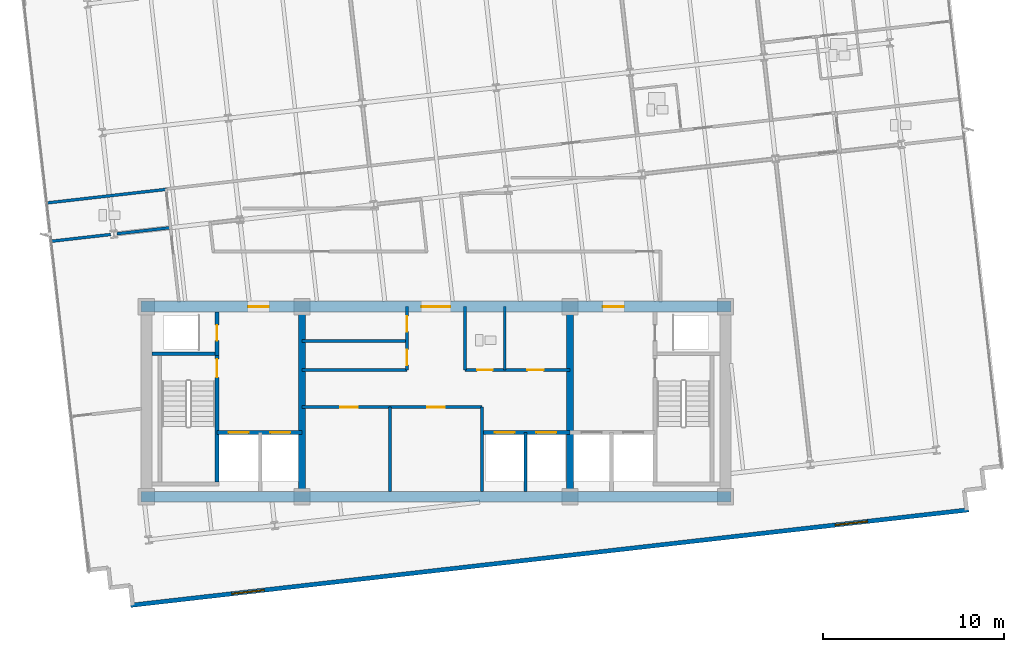
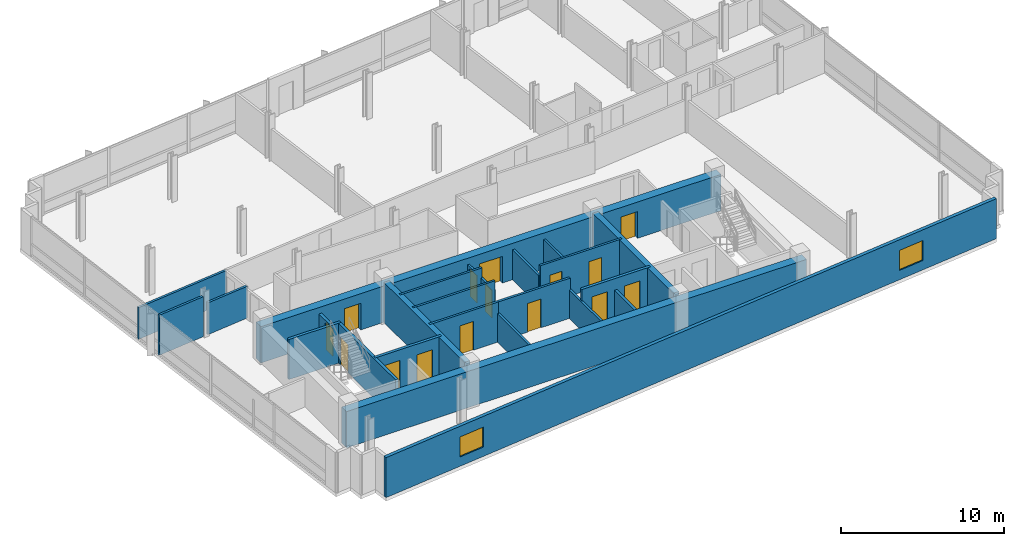
# One storey, part 8 of 14: 24 walls, 15 doors, 2 windows, 17 openings.
"""IFC4 building model written with IfcOpenShell, lengths in metres."""

from ifc_helpers import new_model, si_unit, direction, frame, frame_2d, origin, place, context, subcontext, project, spatial, rectangle, extrude, material, layer, layer_set, type_object, element, fill, save


model = new_model("IFC4")

# Units and contexts
model_context = context("Model", 3, precision=1e-05, world=origin(), true_north=direction((0.0, 1.0)))
body_context = subcontext(model_context, "Body", "Model", "MODEL_VIEW")
ifc_project = project(units=[si_unit("LENGTHUNIT", "METRE"), si_unit("AREAUNIT", "SQUARE_METRE"), si_unit("VOLUMEUNIT", "CUBIC_METRE"), si_unit("PLANEANGLEUNIT", "RADIAN"), si_unit("MASSUNIT", "GRAM", prefix="KILO")], contexts=[model_context])

# Site, building, storey
site_placement = place(None, origin())
site = spatial("IfcSite", under=ifc_project, at=site_placement, CompositionType="ELEMENT")
building_placement = place(site_placement, origin())
building = spatial("IfcBuilding", under=site, at=building_placement, Name="Solmavex Isthmus Hotel", CompositionType="ELEMENT")
storey_placement = place(building_placement, frame((0.0, 0.0, 236.550048828125)))
storey = spatial("IfcBuildingStorey", under=building, at=storey_placement, Name="L64", CompositionType="ELEMENT", Elevation=236.550048828125)

# Wall, openings, windows
ifc_material_1 = material(Name="Precast Concrete C40/50", Category="concrete")
ifc_layer_1 = layer(ifc_material_1, 0.25)
ifc_layer_set_1 = layer_set([ifc_layer_1], Name="Precast Concrete C40/50")
wall_type_1 = type_object("IfcWallType", Name="EW-TWR-250", PredefinedType="STANDARD", material=ifc_layer_set_1)
wall_1_placement = place(storey_placement, frame((-16.86962890625, -18.99951171875, 0.0), z_axis=(0.0, 0.0, 1.0), x_axis=(0.993571588328, 0.113205560228, 0.0)))
wall_1 = element("IfcWall", 1, at=wall_1_placement, inside=storey, type_object=wall_type_1, Name="Tower Rear South Facade Wall L64", PredefinedType="STANDARD", context=body_context, shape_type="SweptSolid", body=[
    extrude(rectangle(XDim=46.60009765625, YDim=0.239990234375, at=frame_2d((23.300048828125, 0.0))), origin(), (0.0, 0.0, 1.0), 3.0),
])
opening_1_placement = place(wall_1_placement, frame((5.6240234375, 0.0, 0.699951171875)))
opening_1 = element("IfcOpeningElement", 2, at=opening_1_placement, cuts=wall_1, Name="Opening WN-02", PredefinedType="OPENING", context=body_context, shape_type="SweptSolid", body=[
    extrude(rectangle(XDim=1.800048828125, YDim=1.5, at=frame_2d((0.89990234375, 0.75))), frame((0.0, 0.1298828125, 0.0), z_axis=(0.0, -1.0, 0.0), x_axis=(1.0, 0.0, 0.0)), (0.0, 0.0, 1.0), 0.260009765625),
])
opening_2_placement = place(wall_1_placement, frame((39.176025390625, 0.0, 0.699951171875)))
opening_2 = element("IfcOpeningElement", 3, at=opening_2_placement, cuts=wall_1, Name="Opening WN-02", PredefinedType="OPENING", context=body_context, shape_type="SweptSolid", body=[
    extrude(rectangle(XDim=1.800048828125, YDim=1.5, at=frame_2d((0.89990234375, 0.75))), frame((0.0, 0.1298828125, 0.0), z_axis=(0.0, -1.0, 0.0), x_axis=(1.0, 0.0, 0.0)), (0.0, 0.0, 1.0), 0.260009765625),
])
ifc_material_2 = material(Name="Clear low-E laminated glass", Category="glass")
window_type = type_object("IfcWindowType", Name="WIN-TWR-1800", PartitioningType="SINGLE_PANEL", PredefinedType="WINDOW", material=ifc_material_2)
window_1_placement = place(opening_1_placement, origin())
window_1 = element("IfcWindow", 4, at=window_1_placement, inside=storey, type_object=window_type, Name="South Facade Vision Window L64-S1", OverallHeight=1.5, OverallWidth=1.800048828125, PartitioningType="SINGLE_PANEL", PredefinedType="WINDOW", context=body_context, shape_type="SweptSolid", body=[
    extrude(rectangle(XDim=1.800048828125, YDim=1.5, at=frame_2d((0.89990234375, 0.75))), frame((0.0, 0.030029296875, 0.0), z_axis=(0.0, -1.0, 0.0), x_axis=(1.0, 0.0, 0.0)), (0.0, 0.0, 1.0), 0.06005859375),
])
fill(opening_1, window_1)
window_2_placement = place(opening_2_placement, origin())
window_2 = element("IfcWindow", 5, at=window_2_placement, inside=storey, type_object=window_type, Name="South Facade Vision Window L64-S2", OverallHeight=1.5, OverallWidth=1.800048828125, PartitioningType="SINGLE_PANEL", PredefinedType="WINDOW", context=body_context, shape_type="SweptSolid", body=[
    extrude(rectangle(XDim=1.800048828125, YDim=1.5, at=frame_2d((0.89990234375, 0.75))), frame((0.0, 0.030029296875, 0.0), z_axis=(0.0, -1.0, 0.0), x_axis=(1.0, 0.0, 0.0)), (0.0, 0.0, 1.0), 0.06005859375),
])
fill(opening_2, window_2)

# Wall, opening, door
ifc_material_3 = material(Name="Gypsum plasterboard lining", Category="gypsum")
ifc_layer_2 = layer(ifc_material_3, 0.159912109375)
ifc_layer_set_2 = layer_set([ifc_layer_2], Name="Gypsum plasterboard lining")
wall_type_2 = type_object("IfcWallType", Name="IW-COMP-160", PredefinedType="PARTITIONING", material=ifc_layer_set_2)
wall_2_placement = place(storey_placement, frame((-7.39990234375, -8.050048828125, 0.0), z_axis=(0.0, 0.0, 1.0), x_axis=(1.0, 0.0, 0.0)))
wall_2 = element("IfcWall", 6, at=wall_2_placement, inside=storey, type_object=wall_type_2, Name="Interior Partition Wall W-L64-REC-PLL-N", PredefinedType="PARTITIONING", context=body_context, shape_type="SweptSolid", body=[
    extrude(rectangle(XDim=4.849853515625, YDim=0.159912109375, at=frame_2d((2.4248046875, 0.0))), origin(), (0.0, 0.0, 1.0), 3.0),
])
opening_3_placement = place(wall_2_placement, frame((2.125, 0.0, 0.0)))
opening_3 = element("IfcOpeningElement", 7, at=opening_3_placement, cuts=wall_2, Name="Opening ID-C095", PredefinedType="OPENING", context=body_context, shape_type="SweptSolid", body=[
    extrude(rectangle(XDim=0.949951171875, YDim=2.14990234375, at=frame_2d((0.47509765625, 1.074951171875))), frame((0.0, 0.08984375, 0.0), z_axis=(0.0, -1.0, 0.0), x_axis=(1.0, 0.0, 0.0)), (0.0, 0.0, 1.0), 0.179931640625),
])
ifc_material_4 = material(Name="Hardwood timber", Category="wood")
door_type_1 = type_object("IfcDoorType", Name="IDR-FD60-0950", OperationType="NOTDEFINED", PredefinedType="DOOR", material=ifc_material_4)
door_1_placement = place(opening_3_placement, origin())
door_1 = element("IfcDoor", 8, at=door_1_placement, inside=storey, type_object=door_type_1, Name="Linen Reserve Door L64", OperationType="SINGLE_SWING_LEFT", OverallHeight=2.14990234375, OverallWidth=0.949951171875, PredefinedType="DOOR", context=body_context, shape_type="SweptSolid", body=[
    extrude(rectangle(XDim=0.949951171875, YDim=2.14990234375, at=frame_2d((0.47509765625, 1.074951171875))), frame((0.0, 0.02490234375, 0.0), z_axis=(0.0, -1.0, 0.0), x_axis=(1.0, 0.0, 0.0)), (0.0, 0.0, 1.0), 0.050048828125),
])
fill(opening_3, door_1)

# Wall
wall_3_placement = place(storey_placement, frame((-2.550048828125, -12.699951171875, 0.0), z_axis=(0.0, 0.0, 1.0), x_axis=(0.0, 1.0, 0.0)))
element("IfcWall", 9, at=wall_3_placement, inside=storey, type_object=wall_type_2, Name="Interior Partition Wall W-L64-REC-PLL-E", PredefinedType="PARTITIONING", context=body_context, shape_type="SweptSolid", body=[
    extrude(rectangle(XDim=4.64990234375, YDim=0.159912109375, at=frame_2d((2.324951171875, 0.0))), origin(), (0.0, 0.0, 1.0), 2.135009765625),
])

# Wall, opening, door
wall_4_placement = place(storey_placement, frame((-2.550048828125, -8.050048828125, 0.0), z_axis=(0.0, 0.0, 1.0), x_axis=(1.0, 0.0, 0.0)))
wall_4 = element("IfcWall", 10, at=wall_4_placement, inside=storey, type_object=wall_type_2, Name="Interior Partition Wall W-L64-REC-PLM-N", PredefinedType="PARTITIONING", context=body_context, shape_type="SweptSolid", body=[
    extrude(rectangle(XDim=5.10009765625, YDim=0.159912109375, at=frame_2d((2.550048828125, 0.0))), origin(), (0.0, 0.0, 1.0), 3.0),
])
opening_4_placement = place(wall_4_placement, frame((2.074951171875, 0.0, 0.0)))
opening_4 = element("IfcOpeningElement", 11, at=opening_4_placement, cuts=wall_4, Name="Opening ID-C095", PredefinedType="OPENING", context=body_context, shape_type="SweptSolid", body=[
    extrude(rectangle(XDim=0.949951171875, YDim=2.14990234375, at=frame_2d((0.47509765625, 1.074951171875))), frame((0.0, 0.08984375, 0.0), z_axis=(0.0, -1.0, 0.0), x_axis=(1.0, 0.0, 0.0)), (0.0, 0.0, 1.0), 0.179931640625),
])
door_2_placement = place(opening_4_placement, origin())
door_2 = element("IfcDoor", 12, at=door_2_placement, inside=storey, type_object=door_type_1, Name="Butler Store Door L64", OperationType="SINGLE_SWING_RIGHT", OverallHeight=2.14990234375, OverallWidth=0.949951171875, PredefinedType="DOOR", context=body_context, shape_type="SweptSolid", body=[
    extrude(rectangle(XDim=0.949951171875, YDim=2.14990234375, at=frame_2d((0.47509765625, 1.074951171875))), frame((0.0, 0.02490234375, 0.0), z_axis=(0.0, -1.0, 0.0), x_axis=(1.0, 0.0, 0.0)), (0.0, 0.0, 1.0), 0.050048828125),
])
fill(opening_4, door_2)

# Walls
wall_5_placement = place(storey_placement, frame((2.550048828125, -12.699951171875, 0.0), z_axis=(0.0, 0.0, 1.0), x_axis=(0.0, 1.0, 0.0)))
element("IfcWall", 13, at=wall_5_placement, inside=storey, type_object=wall_type_2, Name="Interior Partition Wall W-L64-REC-PLM-E", PredefinedType="PARTITIONING", context=body_context, shape_type="SweptSolid", body=[
    extrude(rectangle(XDim=4.64990234375, YDim=0.159912109375, at=frame_2d((2.324951171875, 0.0))), origin(), (0.0, 0.0, 1.0), 2.135009765625),
])
wall_6_placement = place(storey_placement, frame((-14.86865234375, 3.98486328125, 0.0), z_axis=(0.0, 0.0, 1.0), x_axis=(-0.993568743641, -0.113230524415, 0.0)))
element("IfcWall", 14, at=wall_6_placement, inside=storey, type_object=wall_type_2, Name="Interior Partition Wall W-L64-P025", PredefinedType="PARTITIONING", context=body_context, shape_type="SweptSolid", body=[
    extrude(rectangle(XDim=6.7099609375, YDim=0.159912109375, at=frame_2d((3.35498046875, 0.0))), origin(), (0.0, 0.0, 1.0), 2.367431640625),
])
wall_7_placement = place(storey_placement, frame((-17.97216796875, 1.4873046875, 0.0), z_axis=(0.0, 0.0, 1.0), x_axis=(-0.993575433752, -0.113171804991, 0.0)))
element("IfcWall", 15, at=wall_7_placement, inside=storey, type_object=wall_type_2, Name="Interior Partition Wall W-L64-P042", PredefinedType="PARTITIONING", context=body_context, shape_type="SweptSolid", body=[
    extrude(rectangle(XDim=3.34375, YDim=0.159912109375, at=frame_2d((1.671875, 0.0))), origin(), (0.0, 0.0, 1.0), 3.0),
])
wall_8_placement = place(storey_placement, frame((-14.62744140625, 1.868408203125, 0.0), z_axis=(0.0, 0.0, 1.0), x_axis=(-0.993574646464, -0.113178716659, 0.0)))
element("IfcWall", 16, at=wall_8_placement, inside=storey, type_object=wall_type_2, Name="Interior Partition Wall W-L64-P043", PredefinedType="PARTITIONING", context=body_context, shape_type="SweptSolid", body=[
    extrude(rectangle(XDim=3.013427734375, YDim=0.159912109375, at=frame_2d((1.5068359375, 0.0))), origin(), (0.0, 0.0, 1.0), 2.38232421875),
])
ifc_layer_3 = layer(ifc_material_3, 0.14990234375)
ifc_layer_set_3 = layer_set([ifc_layer_3], Name="Gypsum plasterboard lining")
wall_type_3 = type_object("IfcWallType", Name="IW-CORR-150", PredefinedType="PARTITIONING", material=ifc_layer_set_3)
wall_9_placement = place(storey_placement, frame((-7.39990234375, -6.0, 0.0), z_axis=(0.0, 0.0, 1.0), x_axis=(1.0, 0.0, 0.0)))
element("IfcWall", 17, at=wall_9_placement, inside=storey, type_object=wall_type_3, Name="Interior Partition Wall W-L64-BOH-WS", PredefinedType="PARTITIONING", context=body_context, shape_type="SweptSolid", body=[
    extrude(rectangle(XDim=5.7998046875, YDim=0.14990234375, at=frame_2d((2.89990234375, 0.0))), origin(), (0.0, 0.0, 1.0), 3.0),
])

# Wall, openings, doors
wall_10_placement = place(storey_placement, frame((-1.60009765625, -6.0, 0.0), z_axis=(0.0, 0.0, 1.0), x_axis=(0.0, 1.0, 0.0)))
wall_10 = element("IfcWall", 18, at=wall_10_placement, inside=storey, type_object=wall_type_3, Name="Interior Partition Wall W-L64-BOH-WE", PredefinedType="PARTITIONING", context=body_context, shape_type="SweptSolid", body=[
    extrude(rectangle(XDim=3.5, YDim=0.14990234375, at=frame_2d((1.75, 0.0))), origin(), (0.0, 0.0, 1.0), 2.244873046875),
])
opening_5_placement = place(wall_10_placement, frame((0.27490234375, 0.0, 0.0)))
opening_5 = element("IfcOpeningElement", 19, at=opening_5_placement, cuts=wall_10, Name="Opening ID-R085", PredefinedType="OPENING", context=body_context, shape_type="SweptSolid", body=[
    extrude(rectangle(XDim=0.85009765625, YDim=2.050048828125, at=frame_2d((0.425048828125, 1.02490234375))), frame((0.0, 0.0849609375, 0.0), z_axis=(0.0, -1.0, 0.0), x_axis=(1.0, 0.0, 0.0)), (0.0, 0.0, 1.0), 0.169921875),
])
opening_6_placement = place(wall_10_placement, frame((2.125, 0.0, 0.0)))
opening_6 = element("IfcOpeningElement", 20, at=opening_6_placement, cuts=wall_10, Name="Opening ID-R085", PredefinedType="OPENING", context=body_context, shape_type="SweptSolid", body=[
    extrude(rectangle(XDim=0.85009765625, YDim=2.050048828125, at=frame_2d((0.425048828125, 1.02490234375))), frame((0.0, 0.0849609375, 0.0), z_axis=(0.0, -1.0, 0.0), x_axis=(1.0, 0.0, 0.0)), (0.0, 0.0, 1.0), 0.169921875),
])
ifc_material_5 = material(Name="Steel ASTM A500 Grade C", Category="steel")
door_type_2 = type_object("IfcDoorType", Name="IDR-FD60-0850", OperationType="NOTDEFINED", PredefinedType="DOOR", material=ifc_material_5)
door_3_placement = place(opening_5_placement, origin())
door_3 = element("IfcDoor", 21, at=door_3_placement, inside=storey, type_object=door_type_2, Name="Housekeeping Door L64", OperationType="SINGLE_SWING_LEFT", OverallHeight=2.050048828125, OverallWidth=0.85009765625, PredefinedType="DOOR", context=body_context, shape_type="SweptSolid", body=[
    extrude(rectangle(XDim=0.85009765625, YDim=2.050048828125, at=frame_2d((0.425048828125, 1.02490234375))), frame((0.0, 0.02490234375, 0.0), z_axis=(0.0, -1.0, 0.0), x_axis=(1.0, 0.0, 0.0)), (0.0, 0.0, 1.0), 0.050048828125),
])
fill(opening_5, door_3)
door_4_placement = place(opening_6_placement, origin())
door_4 = element("IfcDoor", 22, at=door_4_placement, inside=storey, type_object=door_type_2, Name="Valet Store Door L64", OperationType="SINGLE_SWING_RIGHT", OverallHeight=2.050048828125, OverallWidth=0.85009765625, PredefinedType="DOOR", context=body_context, shape_type="SweptSolid", body=[
    extrude(rectangle(XDim=0.85009765625, YDim=2.050048828125, at=frame_2d((0.425048828125, 1.02490234375))), frame((0.0, 0.02490234375, 0.0), z_axis=(0.0, -1.0, 0.0), x_axis=(1.0, 0.0, 0.0)), (0.0, 0.0, 1.0), 0.050048828125),
])
fill(opening_6, door_4)

wall_11_placement = place(storey_placement, frame((1.60009765625, -6.0, 0.0), z_axis=(0.0, 0.0, 1.0), x_axis=(1.0, 0.0, 0.0)))
wall_11 = element("IfcWall", 23, at=wall_11_placement, inside=storey, type_object=wall_type_3, Name="Interior Partition Wall W-L64-BOH-ES", PredefinedType="PARTITIONING", context=body_context, shape_type="SweptSolid", body=[
    extrude(rectangle(XDim=5.7998046875, YDim=0.14990234375, at=frame_2d((2.89990234375, 0.0))), origin(), (0.0, 0.0, 1.0), 3.0),
])
opening_7_placement = place(wall_11_placement, frame((0.675048828125, 0.0, 0.0)))
opening_7 = element("IfcOpeningElement", 24, at=opening_7_placement, cuts=wall_11, Name="Opening ID-R085", PredefinedType="OPENING", context=body_context, shape_type="SweptSolid", body=[
    extrude(rectangle(XDim=0.85009765625, YDim=2.050048828125, at=frame_2d((0.425048828125, 1.02490234375))), frame((0.0, 0.0849609375, 0.0), z_axis=(0.0, -1.0, 0.0), x_axis=(1.0, 0.0, 0.0)), (0.0, 0.0, 1.0), 0.169921875),
])
opening_8_placement = place(wall_11_placement, frame((3.449951171875, 0.0, 0.0)))
opening_8 = element("IfcOpeningElement", 25, at=opening_8_placement, cuts=wall_11, Name="Opening ID-C090", PredefinedType="OPENING", context=body_context, shape_type="SweptSolid", body=[
    extrude(rectangle(XDim=0.89990234375, YDim=2.10009765625, at=frame_2d((0.449951171875, 1.050048828125))), frame((0.0, 0.0849609375, 0.0), z_axis=(0.0, -1.0, 0.0), x_axis=(1.0, 0.0, 0.0)), (0.0, 0.0, 1.0), 0.169921875),
])
door_5_placement = place(opening_7_placement, frame((0.85009765625, 0.0, 0.0), z_axis=(0.0, 0.0, 1.0), x_axis=(-1.0, 0.0, 0.0)))
door_5 = element("IfcDoor", 26, at=door_5_placement, inside=storey, type_object=door_type_2, Name="Staff WC Door L64", OperationType="SINGLE_SWING_LEFT", OverallHeight=2.050048828125, OverallWidth=0.85009765625, PredefinedType="DOOR", context=body_context, shape_type="SweptSolid", body=[
    extrude(rectangle(XDim=0.85009765625, YDim=2.050048828125, at=frame_2d((0.425048828125, 1.02490234375))), frame((0.0, 0.02490234375, 0.0), z_axis=(0.0, -1.0, 0.0), x_axis=(1.0, 0.0, 0.0)), (0.0, 0.0, 1.0), 0.050048828125),
])
fill(opening_7, door_5)
door_type_3 = type_object("IfcDoorType", Name="IDR-FD60-0900", OperationType="NOTDEFINED", PredefinedType="DOOR", material=ifc_material_4)
door_6_placement = place(opening_8_placement, frame((0.89990234375, 0.0, 0.0), z_axis=(0.0, 0.0, 1.0), x_axis=(-1.0, 0.0, 0.0)))
door_6 = element("IfcDoor", 27, at=door_6_placement, inside=storey, type_object=door_type_3, Name="Room Service Door L64", OperationType="SINGLE_SWING_RIGHT", OverallHeight=2.10009765625, OverallWidth=0.89990234375, PredefinedType="DOOR", context=body_context, shape_type="SweptSolid", body=[
    extrude(rectangle(XDim=0.89990234375, YDim=2.10009765625, at=frame_2d((0.449951171875, 1.050048828125))), frame((0.0, 0.02490234375, 0.0), z_axis=(0.0, -1.0, 0.0), x_axis=(1.0, 0.0, 0.0)), (0.0, 0.0, 1.0), 0.050048828125),
])
fill(opening_8, door_6)

# Walls
wall_12_placement = place(storey_placement, frame((1.60009765625, -6.0, 0.0), z_axis=(0.0, 0.0, 1.0), x_axis=(0.0, 1.0, 0.0)))
element("IfcWall", 28, at=wall_12_placement, inside=storey, type_object=wall_type_3, Name="Interior Partition Wall W-L64-BOH-EW", PredefinedType="PARTITIONING", context=body_context, shape_type="SweptSolid", body=[
    extrude(rectangle(XDim=3.5, YDim=0.14990234375, at=frame_2d((1.75, 0.0))), origin(), (0.0, 0.0, 1.0), 2.244873046875),
])
ifc_layer_4 = layer(ifc_material_3, 0.1201171875)
ifc_layer_set_4 = layer_set([ifc_layer_4], Name="Gypsum plasterboard lining")
wall_type_4 = type_object("IfcWallType", Name="IW-PART-120", PredefinedType="PARTITIONING", material=ifc_layer_set_4)
wall_13_placement = place(storey_placement, frame((-7.39990234375, -4.39990234375, 0.0), z_axis=(0.0, 0.0, 1.0), x_axis=(1.0, 0.0, 0.0)))
element("IfcWall", 29, at=wall_13_placement, inside=storey, type_object=wall_type_4, Name="Interior Partition Wall W-L64-BOH-WH3", PredefinedType="PARTITIONING", context=body_context, shape_type="SweptSolid", body=[
    extrude(rectangle(XDim=5.7998046875, YDim=0.14990234375, at=frame_2d((2.89990234375, 0.0))), origin(), (0.0, 0.0, 1.0), 3.0),
])
wall_14_placement = place(storey_placement, frame((3.800048828125, -6.0, 0.0), z_axis=(0.0, 0.0, 1.0), x_axis=(0.0, 1.0, 0.0)))
element("IfcWall", 30, at=wall_14_placement, inside=storey, type_object=wall_type_4, Name="Interior Partition Wall W-L64-BOH-EM3", PredefinedType="PARTITIONING", context=body_context, shape_type="SweptSolid", body=[
    extrude(rectangle(XDim=3.5, YDim=0.14990234375, at=frame_2d((1.75, 0.0))), origin(), (0.0, 0.0, 1.0), 2.244873046875),
])
ifc_material_6 = material(Name="Concrete C40/50", Category="concrete")
ifc_layer_5 = layer(ifc_material_6, 0.179931640625)
ifc_layer_set_5 = layer_set([ifc_layer_5], Name="Concrete C40/50")
wall_type_5 = type_object("IfcWallType", Name="IW-SHAFT-180", PredefinedType="PARTITIONING", material=ifc_layer_set_5)
wall_15_placement = place(storey_placement, frame((4.949951171875, -12.699951171875, 0.0), z_axis=(0.0, 0.0, 1.0), x_axis=(0.0, 1.0, 0.0)))
element("IfcWall", 31, at=wall_15_placement, inside=storey, type_object=wall_type_5, Name="Interior Partition Wall W-L64-SH-PLH-M", PredefinedType="PARTITIONING", context=body_context, shape_type="SweptSolid", body=[
    extrude(rectangle(XDim=3.25, YDim=0.179931640625, at=frame_2d((1.625, 0.0))), origin(), (0.0, 0.0, 1.0), 2.135009765625),
])

# Wall, opening, door
ifc_layer_6 = layer(ifc_material_6, 0.199951171875)
ifc_layer_set_6 = layer_set([ifc_layer_6], Name="Concrete C40/50")
wall_type_6 = type_object("IfcWallType", Name="IW-SHAFT-200", PredefinedType="PARTITIONING", material=ifc_layer_set_6)
wall_16_placement = place(storey_placement, frame((-12.10009765625, -5.199951171875, 0.0), z_axis=(0.0, 0.0, 1.0), x_axis=(0.0, 1.0, 0.0)))
wall_16 = element("IfcWall", 32, at=wall_16_placement, inside=storey, type_object=wall_type_6, Name="Interior Partition Wall W-L64-RSW-E", PredefinedType="PARTITIONING", context=body_context, shape_type="SweptSolid", body=[
    extrude(rectangle(XDim=2.39990234375, YDim=0.199951171875, at=frame_2d((1.199951171875, 0.0))), origin(), (0.0, 0.0, 1.0), 2.244873046875),
])
opening_9_placement = place(wall_16_placement, frame((0.824951171875, 0.0, 0.0)))
opening_9 = element("IfcOpeningElement", 33, at=opening_9_placement, cuts=wall_16, Name="Opening ID-R085", PredefinedType="OPENING", context=body_context, shape_type="SweptSolid", body=[
    extrude(rectangle(XDim=0.85009765625, YDim=2.050048828125, at=frame_2d((0.425048828125, 1.02490234375))), frame((0.0, 0.10986328125, 0.0), z_axis=(0.0, -1.0, 0.0), x_axis=(1.0, 0.0, 0.0)), (0.0, 0.0, 1.0), 0.219970703125),
])
door_7_placement = place(opening_9_placement, origin())
door_7 = element("IfcDoor", 34, at=door_7_placement, inside=storey, type_object=door_type_2, Name="Electrical Riser Door L64", OperationType="SINGLE_SWING_RIGHT", OverallHeight=2.050048828125, OverallWidth=0.85009765625, PredefinedType="DOOR", context=body_context, shape_type="SweptSolid", body=[
    extrude(rectangle(XDim=0.85009765625, YDim=2.050048828125, at=frame_2d((0.425048828125, 1.02490234375))), frame((0.0, 0.02490234375, 0.0), z_axis=(0.0, -1.0, 0.0), x_axis=(1.0, 0.0, 0.0)), (0.0, 0.0, 1.0), 0.050048828125),
])
fill(opening_9, door_7)

# Wall, openings, doors
wall_17_placement = place(storey_placement, frame((-12.10009765625, -9.449951171875, 0.0), z_axis=(0.0, 0.0, 1.0), x_axis=(1.0, 0.0, 0.0)))
wall_17 = element("IfcWall", 35, at=wall_17_placement, inside=storey, type_object=wall_type_6, Name="Interior Partition Wall W-L64-FFLW-S", PredefinedType="PARTITIONING", context=body_context, shape_type="SweptSolid", body=[
    extrude(rectangle(XDim=4.7001953125, YDim=0.199951171875, at=frame_2d((2.35009765625, 0.0))), origin(), (0.0, 0.0, 1.0), 3.0),
])
opening_10_placement = place(wall_17_placement, frame((0.64990234375, 0.0, 0.0)))
opening_10 = element("IfcOpeningElement", 36, at=opening_10_placement, cuts=wall_17, Name="Opening LD-FF", PredefinedType="OPENING", context=body_context, shape_type="SweptSolid", body=[
    extrude(rectangle(XDim=1.10009765625, YDim=2.199951171875, at=frame_2d((0.550048828125, 1.10009765625))), frame((0.0, 0.10986328125, 0.0), z_axis=(0.0, -1.0, 0.0), x_axis=(1.0, 0.0, 0.0)), (0.0, 0.0, 1.0), 0.219970703125),
])
opening_11_placement = place(wall_17_placement, frame((2.949951171875, 0.0, 0.0)))
opening_11 = element("IfcOpeningElement", 37, at=opening_11_placement, cuts=wall_17, Name="Opening LD-SV", PredefinedType="OPENING", context=body_context, shape_type="SweptSolid", body=[
    extrude(rectangle(XDim=1.10009765625, YDim=2.199951171875, at=frame_2d((0.550048828125, 1.10009765625))), frame((0.0, 0.10986328125, 0.0), z_axis=(0.0, -1.0, 0.0), x_axis=(1.0, 0.0, 0.0)), (0.0, 0.0, 1.0), 0.219970703125),
])
ifc_material_7 = material(Name="Stainless steel 316", Category="steel")
door_type_4 = type_object("IfcDoorType", Name="LDR-FF-1100", OperationType="NOTDEFINED", PredefinedType="DOOR", material=ifc_material_7)
door_8_placement = place(opening_10_placement, origin())
door_8 = element("IfcDoor", 38, at=door_8_placement, inside=storey, type_object=door_type_4, Name="Lift Landing Door FFL-1 L64", OperationType="SLIDING_TO_LEFT", OverallHeight=2.199951171875, OverallWidth=1.10009765625, PredefinedType="DOOR", context=body_context, shape_type="SweptSolid", body=[
    extrude(rectangle(XDim=1.10009765625, YDim=2.199951171875, at=frame_2d((0.550048828125, 1.10009765625))), frame((0.0, 0.02490234375, 0.0), z_axis=(0.0, -1.0, 0.0), x_axis=(1.0, 0.0, 0.0)), (0.0, 0.0, 1.0), 0.050048828125),
])
fill(opening_10, door_8)
door_type_5 = type_object("IfcDoorType", Name="LDR-SV-1100", OperationType="NOTDEFINED", PredefinedType="DOOR", material=ifc_material_7)
door_9_placement = place(opening_11_placement, origin())
door_9 = element("IfcDoor", 39, at=door_9_placement, inside=storey, type_object=door_type_5, Name="Lift Landing Door SVL-1 L64", OperationType="SLIDING_TO_RIGHT", OverallHeight=2.199951171875, OverallWidth=1.10009765625, PredefinedType="DOOR", context=body_context, shape_type="SweptSolid", body=[
    extrude(rectangle(XDim=1.10009765625, YDim=2.199951171875, at=frame_2d((0.550048828125, 1.10009765625))), frame((0.0, 0.02490234375, 0.0), z_axis=(0.0, -1.0, 0.0), x_axis=(1.0, 0.0, 0.0)), (0.0, 0.0, 1.0), 0.050048828125),
])
fill(opening_11, door_9)

wall_18_placement = place(storey_placement, frame((2.550048828125, -9.449951171875, 0.0), z_axis=(0.0, 0.0, 1.0), x_axis=(1.0, 0.0, 0.0)))
wall_18 = element("IfcWall", 40, at=wall_18_placement, inside=storey, type_object=wall_type_6, Name="Interior Partition Wall W-L64-SH-PLH", PredefinedType="PARTITIONING", context=body_context, shape_type="SweptSolid", body=[
    extrude(rectangle(XDim=4.849853515625, YDim=0.199951171875, at=frame_2d((2.4248046875, 0.0))), origin(), (0.0, 0.0, 1.0), 3.0),
])
opening_12_placement = place(wall_18_placement, frame((0.699951171875, 0.0, 0.0)))
opening_12 = element("IfcOpeningElement", 41, at=opening_12_placement, cuts=wall_18, Name="Opening LD-PL", PredefinedType="OPENING", context=body_context, shape_type="SweptSolid", body=[
    extrude(rectangle(XDim=1.10009765625, YDim=2.199951171875, at=frame_2d((0.550048828125, 1.10009765625))), frame((0.0, 0.10986328125, 0.0), z_axis=(0.0, -1.0, 0.0), x_axis=(1.0, 0.0, 0.0)), (0.0, 0.0, 1.0), 0.219970703125),
])
opening_13_placement = place(wall_18_placement, frame((3.0, 0.0, 0.0)))
opening_13 = element("IfcOpeningElement", 42, at=opening_13_placement, cuts=wall_18, Name="Opening LD-PL", PredefinedType="OPENING", context=body_context, shape_type="SweptSolid", body=[
    extrude(rectangle(XDim=1.10009765625, YDim=2.199951171875, at=frame_2d((0.550048828125, 1.10009765625))), frame((0.0, 0.10986328125, 0.0), z_axis=(0.0, -1.0, 0.0), x_axis=(1.0, 0.0, 0.0)), (0.0, 0.0, 1.0), 0.219970703125),
])
door_type_6 = type_object("IfcDoorType", Name="LDR-PL-1100", OperationType="NOTDEFINED", PredefinedType="DOOR", material=ifc_material_7)
door_10_placement = place(opening_12_placement, origin())
door_10 = element("IfcDoor", 43, at=door_10_placement, inside=storey, type_object=door_type_6, Name="Lift Landing Door PLH1 L64", OperationType="SLIDING_TO_LEFT", OverallHeight=2.199951171875, OverallWidth=1.10009765625, PredefinedType="DOOR", context=body_context, shape_type="SweptSolid", body=[
    extrude(rectangle(XDim=1.10009765625, YDim=2.199951171875, at=frame_2d((0.550048828125, 1.10009765625))), frame((0.0, 0.02490234375, 0.0), z_axis=(0.0, -1.0, 0.0), x_axis=(1.0, 0.0, 0.0)), (0.0, 0.0, 1.0), 0.050048828125),
])
fill(opening_12, door_10)
door_11_placement = place(opening_13_placement, origin())
door_11 = element("IfcDoor", 44, at=door_11_placement, inside=storey, type_object=door_type_6, Name="Lift Landing Door PLH2 L64", OperationType="SLIDING_TO_LEFT", OverallHeight=2.199951171875, OverallWidth=1.10009765625, PredefinedType="DOOR", context=body_context, shape_type="SweptSolid", body=[
    extrude(rectangle(XDim=1.10009765625, YDim=2.199951171875, at=frame_2d((0.550048828125, 1.10009765625))), frame((0.0, 0.02490234375, 0.0), z_axis=(0.0, -1.0, 0.0), x_axis=(1.0, 0.0, 0.0)), (0.0, 0.0, 1.0), 0.050048828125),
])
fill(opening_13, door_11)

# Walls
ifc_material_8 = material(Name="Concrete C50/60", Category="concrete")
ifc_layer_7 = layer(ifc_material_8, 0.39990234375)
ifc_layer_set_7 = layer_set([ifc_layer_7], Name="Concrete C50/60")
wall_type_7 = type_object("IfcWallType", Name="WALL-CW-400H", PredefinedType="SHEAR", material=ifc_layer_set_7)
for number, where, z_axis, x_axis, name in (
    (45, (-7.39990234375, -12.699951171875, 0.0), (0.0, 0.0, 1.0), (0.0, 1.0, 0.0), "Core Cross Shear Wall C1 L64"),
    (46, (7.39990234375, -12.699951171875, 0.0), (0.0, 0.0, 1.0), (0.0, 1.0, 0.0), "Core Cross Shear Wall C2 L64"),
):
    element("IfcWall", number, at=place(storey_placement, frame(where, z_axis=z_axis, x_axis=x_axis)), inside=storey, type_object=wall_type_7, Name=name, PredefinedType="SHEAR", context=body_context, shape_type="SweptSolid", body=[
        extrude(rectangle(XDim=9.89990234375, YDim=0.39990234375, at=frame_2d((4.949951171875, 0.0))), origin(), (0.0, 0.0, 1.0), 3.0),
    ])
ifc_layer_8 = layer(ifc_material_8, 0.60009765625)
ifc_layer_set_8 = layer_set([ifc_layer_8], Name="Concrete C50/60")
wall_type_8 = type_object("IfcWallType", Name="WALL-CW-600", PredefinedType="SHEAR", material=ifc_layer_set_8)
wall_19_placement = place(storey_placement, frame((-16.300048828125, -13.0, 0.0), z_axis=(0.0, 0.0, 1.0), x_axis=(1.0, 0.0, 0.0)))
element("IfcWall", 47, at=wall_19_placement, inside=storey, type_object=wall_type_8, Name="Core Shear Wall South L64", PredefinedType="SHEAR", context=body_context, shape_type="SweptSolid", body=[
    extrude(rectangle(XDim=32.60009765625, YDim=0.60009765625, at=frame_2d((16.300048828125, 0.0))), origin(), (0.0, 0.0, 1.0), 2.719970703125),
])

# Wall, openings, doors
wall_20_placement = place(storey_placement, frame((-16.300048828125, -2.5, 0.0), z_axis=(0.0, 0.0, 1.0), x_axis=(1.0, 0.0, 0.0)))
wall_20 = element("IfcWall", 48, at=wall_20_placement, inside=storey, type_object=wall_type_8, Name="Core Shear Wall North L64", PredefinedType="SHEAR", context=body_context, shape_type="SweptSolid", body=[
    extrude(rectangle(XDim=32.60009765625, YDim=0.60009765625, at=frame_2d((16.300048828125, 0.0))), origin(), (0.0, 0.0, 1.0), 2.719970703125),
])
opening_14_placement = place(wall_20_placement, frame((5.925048828125, 0.0, 0.0)))
opening_14 = element("IfcOpeningElement", 49, at=opening_14_placement, cuts=wall_20, Name="Opening ID-F915", PredefinedType="OPENING", context=body_context, shape_type="SweptSolid", body=[
    extrude(rectangle(XDim=1.14990234375, YDim=2.0, at=frame_2d((0.574951171875, 1.0))), frame((0.0, 0.31005859375, 0.0), z_axis=(0.0, -1.0, 0.0), x_axis=(1.0, 0.0, 0.0)), (0.0, 0.0, 1.0), 0.6201171875),
])
opening_15_placement = place(wall_20_placement, frame((15.5, 0.0, 0.0)))
opening_15 = element("IfcOpeningElement", 50, at=opening_15_placement, cuts=wall_20, Name="Opening ID-F960", PredefinedType="OPENING", context=body_context, shape_type="SweptSolid", body=[
    extrude(rectangle(XDim=1.60009765625, YDim=2.0, at=frame_2d((0.800048828125, 1.0))), frame((0.0, 0.31005859375, 0.0), z_axis=(0.0, -1.0, 0.0), x_axis=(1.0, 0.0, 0.0)), (0.0, 0.0, 1.0), 0.6201171875),
])
opening_16_placement = place(wall_20_placement, frame((25.52490234375, 0.0, 0.0)))
opening_16 = element("IfcOpeningElement", 51, at=opening_16_placement, cuts=wall_20, Name="Opening ID-F915", PredefinedType="OPENING", context=body_context, shape_type="SweptSolid", body=[
    extrude(rectangle(XDim=1.14990234375, YDim=2.0, at=frame_2d((0.574951171875, 1.0))), frame((0.0, 0.31005859375, 0.0), z_axis=(0.0, -1.0, 0.0), x_axis=(1.0, 0.0, 0.0)), (0.0, 0.0, 1.0), 0.6201171875),
])
door_type_7 = type_object("IfcDoorType", Name="IDR-FD90-1150C", OperationType="NOTDEFINED", PredefinedType="DOOR", material=ifc_material_5)
door_12_placement = place(opening_14_placement, origin())
door_12 = element("IfcDoor", 52, at=door_12_placement, inside=storey, type_object=door_type_7, Name="Firefighting Lobby West Exit Door L64", OperationType="SINGLE_SWING_LEFT", OverallHeight=2.0, OverallWidth=1.14990234375, PredefinedType="DOOR", context=body_context, shape_type="SweptSolid", body=[
    extrude(rectangle(XDim=1.14990234375, YDim=2.0, at=frame_2d((0.574951171875, 1.0))), frame((0.0, 0.02490234375, 0.0), z_axis=(0.0, -1.0, 0.0), x_axis=(1.0, 0.0, 0.0)), (0.0, 0.0, 1.0), 0.050048828125),
])
fill(opening_14, door_12)
door_13_placement = place(opening_16_placement, origin())
door_13 = element("IfcDoor", 53, at=door_13_placement, inside=storey, type_object=door_type_7, Name="Firefighting Lobby East Exit Door L64", OperationType="SINGLE_SWING_RIGHT", OverallHeight=2.0, OverallWidth=1.14990234375, PredefinedType="DOOR", context=body_context, shape_type="SweptSolid", body=[
    extrude(rectangle(XDim=1.14990234375, YDim=2.0, at=frame_2d((0.574951171875, 1.0))), frame((0.0, 0.02490234375, 0.0), z_axis=(0.0, -1.0, 0.0), x_axis=(1.0, 0.0, 0.0)), (0.0, 0.0, 1.0), 0.050048828125),
])
fill(opening_16, door_13)
door_type_8 = type_object("IfcDoorType", Name="IDR-FD90-1600C", OperationType="NOTDEFINED", PredefinedType="DOOR", material=ifc_material_5)
door_14_placement = place(opening_15_placement, origin())
door_14 = element("IfcDoor", 54, at=door_14_placement, inside=storey, type_object=door_type_8, Name="Central Lift Lobby Door L64", OperationType="DOUBLE_DOOR_SINGLE_SWING", OverallHeight=2.0, OverallWidth=1.60009765625, PredefinedType="DOOR", context=body_context, shape_type="SweptSolid", body=[
    extrude(rectangle(XDim=1.60009765625, YDim=2.0, at=frame_2d((0.800048828125, 1.0))), frame((0.0, 0.02490234375, 0.0), z_axis=(0.0, -1.0, 0.0), x_axis=(1.0, 0.0, 0.0)), (0.0, 0.0, 1.0), 0.050048828125),
])
fill(opening_15, door_14)

# Wall
ifc_layer_9 = layer(ifc_material_6, 0.199951171875)
ifc_layer_set_9 = layer_set([ifc_layer_9], Name="Concrete C40/50")
wall_type_9 = type_object("IfcWallType", Name="WALL-SW-200", PredefinedType="SOLIDWALL", material=ifc_layer_set_9)
wall_21_placement = place(storey_placement, frame((-15.699951171875, -5.10009765625, 0.0), z_axis=(0.0, 0.0, 1.0), x_axis=(1.0, 0.0, 0.0)))
element("IfcWall", 55, at=wall_21_placement, inside=storey, type_object=wall_type_9, Name="Stairwell Structural Wall SW-L64-ST1-N", PredefinedType="SOLIDWALL", context=body_context, shape_type="SweptSolid", body=[
    extrude(rectangle(XDim=3.699951171875, YDim=0.199951171875, at=frame_2d((1.85009765625, 0.0))), origin(), (0.0, 0.0, 1.0), 3.0),
])

# Wall, opening, door
wall_22_placement = place(storey_placement, frame((-12.10009765625, -12.199951171875, 0.0), z_axis=(0.0, 0.0, 1.0), x_axis=(0.0, 1.0, 0.0)))
wall_22 = element("IfcWall", 56, at=wall_22_placement, inside=storey, type_object=wall_type_9, Name="Stairwell Structural Wall SW-L64-ST1-E", PredefinedType="SOLIDWALL", context=body_context, shape_type="SweptSolid", body=[
    extrude(rectangle(XDim=7.0, YDim=0.199951171875, at=frame_2d((3.5, 0.0))), origin(), (0.0, 0.0, 1.0), 3.0),
])
opening_17_placement = place(wall_22_placement, frame((5.800048828125, 0.0, 0.0)))
opening_17 = element("IfcOpeningElement", 57, at=opening_17_placement, cuts=wall_22, Name="Opening ID-F100", PredefinedType="OPENING", context=body_context, shape_type="SweptSolid", body=[
    extrude(rectangle(XDim=1.0, YDim=2.10009765625, at=frame_2d((0.5, 1.050048828125))), frame((0.0, 0.10986328125, 0.0), z_axis=(0.0, -1.0, 0.0), x_axis=(1.0, 0.0, 0.0)), (0.0, 0.0, 1.0), 0.219970703125),
])
door_type_9 = type_object("IfcDoorType", Name="IDR-FD90-1000", OperationType="NOTDEFINED", PredefinedType="DOOR", material=ifc_material_5)
door_15_placement = place(opening_17_placement, frame((1.0, 0.0, 0.0), z_axis=(0.0, 0.0, 1.0), x_axis=(-1.0, 0.0, 0.0)))
door_15 = element("IfcDoor", 58, at=door_15_placement, inside=storey, type_object=door_type_9, Name="Stair ST-1 Fire Door L64", OperationType="SINGLE_SWING_LEFT", OverallHeight=2.10009765625, OverallWidth=1.0, PredefinedType="DOOR", context=body_context, shape_type="SweptSolid", body=[
    extrude(rectangle(XDim=1.0, YDim=2.10009765625, at=frame_2d((0.5, 1.050048828125))), frame((0.0, 0.02490234375, 0.0), z_axis=(0.0, -1.0, 0.0), x_axis=(1.0, 0.0, 0.0)), (0.0, 0.0, 1.0), 0.050048828125),
])
fill(opening_17, door_15)

save(model, "model.ifc")
